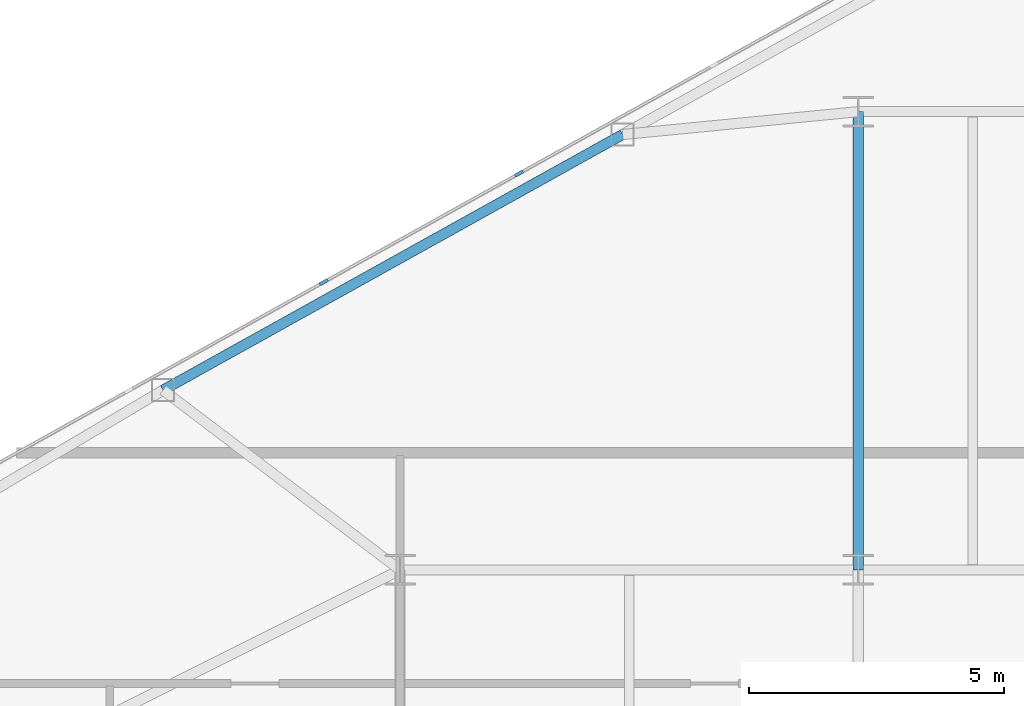
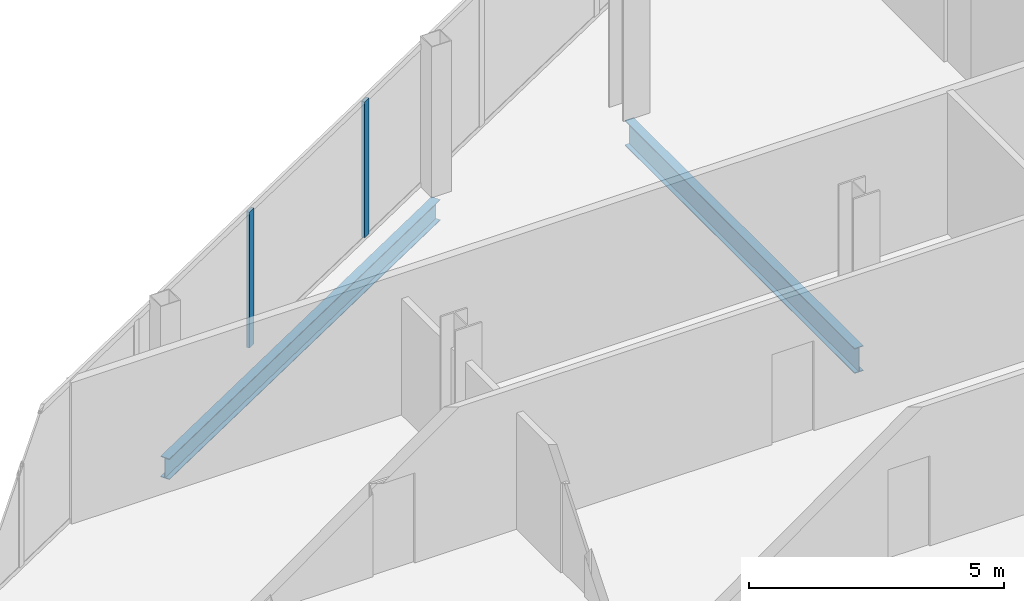
# One storey, part 8 of 25: 2 beams, 2 members, 1 element without a shape of its own.
"""IFC4 building model written with IfcOpenShell, lengths in metres."""

from ifc_helpers import new_model, si_unit, direction, frame, origin, origin_2d, place, context, subcontext, project, spatial, rectangle, i_section, extrude, source, transform, mapped, material, layer, layer_set, material_profile, profile_set, type_object, type_shapes, element, aggregate, save


model = new_model("IFC4")

# Units and contexts
model_context = context("Model", 3, precision=1e-05, world=origin(), true_north=direction((0.0, 1.0)))
body_context = subcontext(model_context, "Body", "Model", "MODEL_VIEW")
ifc_project = project(units=[si_unit("LENGTHUNIT", "METRE"), si_unit("AREAUNIT", "SQUARE_METRE"), si_unit("VOLUMEUNIT", "CUBIC_METRE"), si_unit("PLANEANGLEUNIT", "RADIAN"), si_unit("MASSUNIT", "GRAM", prefix="KILO")], contexts=[model_context])

# Site, building, storey
site_placement = place(None, origin())
site = spatial("IfcSite", under=ifc_project, at=site_placement, CompositionType="ELEMENT")
building_placement = place(site_placement, origin())
building = spatial("IfcBuilding", under=site, at=building_placement, Name="Seokmaru Belvedere", CompositionType="ELEMENT")
storey_placement = place(building_placement, frame((0.0, 0.0, 188.699951171875)))
storey = spatial("IfcBuildingStorey", under=building, at=storey_placement, Name="L50", CompositionType="ELEMENT", Elevation=188.699951171875)

# Beams
ifc_material_1 = material(Name="Steel SM355 (355 MPa)", Category="steel")
ifc_material_profile_1 = material_profile(ifc_material_1, i_section(OverallWidth=0.199951171875, OverallDepth=0.60009765625, WebThickness=0.010986328125, FlangeThickness=0.01708984375, at=origin_2d()), Name="H-600x200x11x17")
ifc_profile_set_1 = profile_set([ifc_material_profile_1], Name="Steel SM355 (355 MPa)")
beam_type_1 = type_object("IfcBeamType", Name="Primary Floor Girder H-600", PredefinedType="BEAM", material=ifc_profile_set_1)
shared_shape_1 = source(origin(), body_context, "Body", "SweptSolid", [
    extrude(i_section(OverallWidth=0.199951171875, OverallDepth=0.60009765625, WebThickness=0.010986328125, FlangeThickness=0.01708984375, at=origin_2d()), origin(), (0.0, 0.0, 1.0), 9.0),
])
type_shapes(beam_type_1, [shared_shape_1])
beam_1_placement = place(storey_placement, frame((-45.5, 4.5, -0.52001953125), z_axis=(0.0, 1.0, 0.0), x_axis=(-1.0, 0.0, 0.0)))
element("IfcBeam", 1, at=beam_1_placement, inside=storey, type_object=beam_type_1, Name="L50 W Interior Grid Girder 3", PredefinedType="BEAM", context=body_context, shape_type="MappedRepresentation", body=[
    mapped(shared_shape_1, transform((0.0, 0.0, 0.0), scale=1.0)),
])
ifc_material_profile_2 = material_profile(ifc_material_1, i_section(OverallWidth=0.199951171875, OverallDepth=0.5, WebThickness=0.010009765625, FlangeThickness=0.01611328125, at=origin_2d()), Name="H-500x200x10x16")
ifc_profile_set_2 = profile_set([ifc_material_profile_2], Name="Steel SM355 (355 MPa)")
beam_type_2 = type_object("IfcBeamType", Name="Perimeter Spandrel Beam H-500", PredefinedType="SPANDREL", material=ifc_profile_set_2)
shared_shape_2 = source(origin(), body_context, "Body", "SweptSolid", [
    extrude(i_section(OverallWidth=0.199951171875, OverallDepth=0.5, WebThickness=0.010009765625, FlangeThickness=0.01611328125, at=origin_2d()), origin(), (0.0, 0.0, 1.0), 10.327392578125),
])
type_shapes(beam_type_2, [shared_shape_2])
beam_2_placement = place(storey_placement, frame((-50.129150390625, 13.051025390625, -0.469970703125), z_axis=(-0.873934162361, -0.48604431882, 0.0), x_axis=(0.48604431882, -0.873934162361, 0.0)))
element("IfcBeam", 2, at=beam_2_placement, inside=storey, type_object=beam_type_2, Name="L50 W Faceted Flank Spandrel N-3", PredefinedType="SPANDREL", context=body_context, shape_type="MappedRepresentation", body=[
    mapped(shared_shape_2, transform((0.0, 0.0, 0.0), scale=1.0)),
])

# Curtain wall, members
ifc_material_2 = material(Name="Bronze Triple Insulating Glass", Category="glass")
ifc_layer = layer(ifc_material_2, 0.179931640625)
ifc_layer_set = layer_set([ifc_layer], Name="Bronze Triple Insulating Glass")
curtain_wall_type = type_object("IfcCurtainWallType", Name="High-Rise Wind-Corner Curtain Wall System CW-5", PredefinedType="NOTDEFINED", material=ifc_layer_set)
curtain_wall_placement = place(storey_placement, origin())
curtain_wall = element("IfcCurtainWall", 3, at=curtain_wall_placement, inside=storey, type_object=curtain_wall_type, Name="L50 Curtain Wall WF3", PredefinedType="NOTDEFINED")
ifc_material_3 = material(Name="Anodised Bronze Aluminium", Category="aluminium")
ifc_material_profile_3 = material_profile(ifc_material_3, rectangle(XDim=0.06494140625, YDim=0.179931640625, at=origin_2d()), Name="CW-M-65x180")
ifc_profile_set_3 = profile_set([ifc_material_profile_3], Name="Anodised Bronze Aluminium")
member_type = type_object("IfcMemberType", Name="Bronze Unitised Mullion 65x180", PredefinedType="MULLION", material=ifc_profile_set_3)
shared_shape_3 = source(origin(), body_context, "Body", "SweptSolid", [
    extrude(rectangle(XDim=0.06494140625, YDim=0.179931640625, at=origin_2d()), origin(), (0.0, 0.0, 1.0), 3.25),
])
type_shapes(member_type, [shared_shape_3])
member_1_placement = place(storey_placement, frame((-52.166015625, 12.2841796875, 0.06494140625), z_axis=(0.0, 0.0, 1.0), x_axis=(0.486047125147, -0.873932601598, 0.0)))
member_1 = element("IfcMember", 4, at=member_1_placement, type_object=member_type, Name="CW:L50:WF3 Mullion 6", PredefinedType="MULLION", context=body_context, shape_type="MappedRepresentation", body=[
    mapped(shared_shape_3, transform((0.0, 0.0, 0.0), scale=1.0)),
])
member_2_placement = place(storey_placement, frame((-55.998291015625, 10.153076171875, 0.06494140625), z_axis=(0.0, 0.0, 1.0), x_axis=(0.486047125147, -0.873932601598, 0.0)))
member_2 = element("IfcMember", 5, at=member_2_placement, type_object=member_type, Name="CW:L50:WF3 Mullion 7", PredefinedType="MULLION", context=body_context, shape_type="MappedRepresentation", body=[
    mapped(shared_shape_3, transform((0.0, 0.0, 0.0), scale=1.0)),
])
aggregate(curtain_wall, [member_1, member_2])

save(model, "model.ifc")
